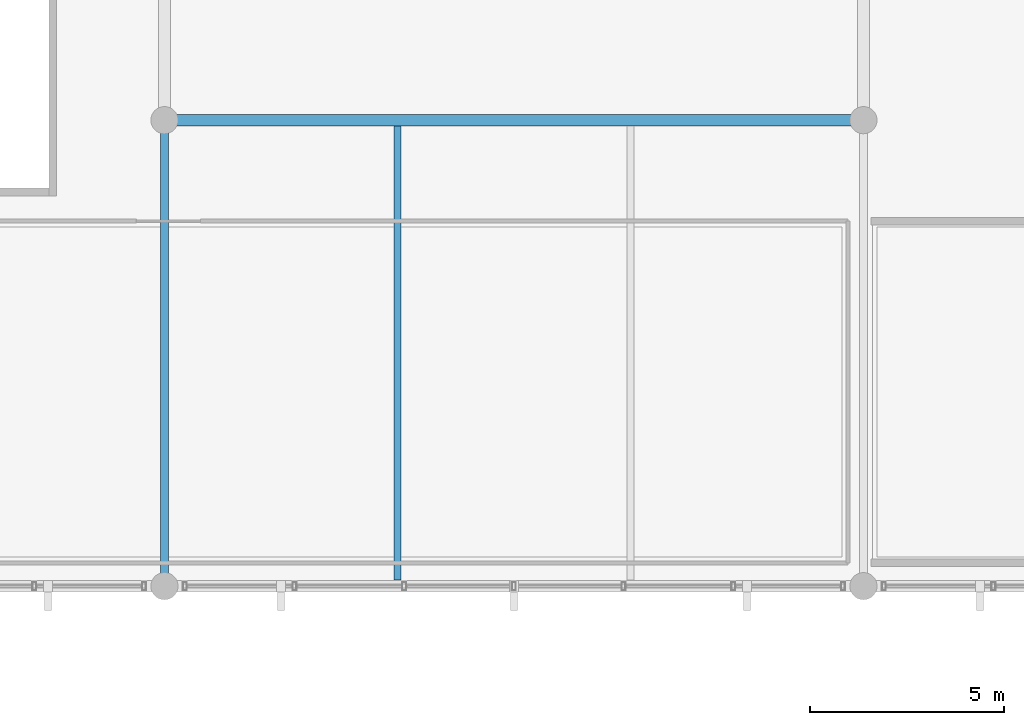
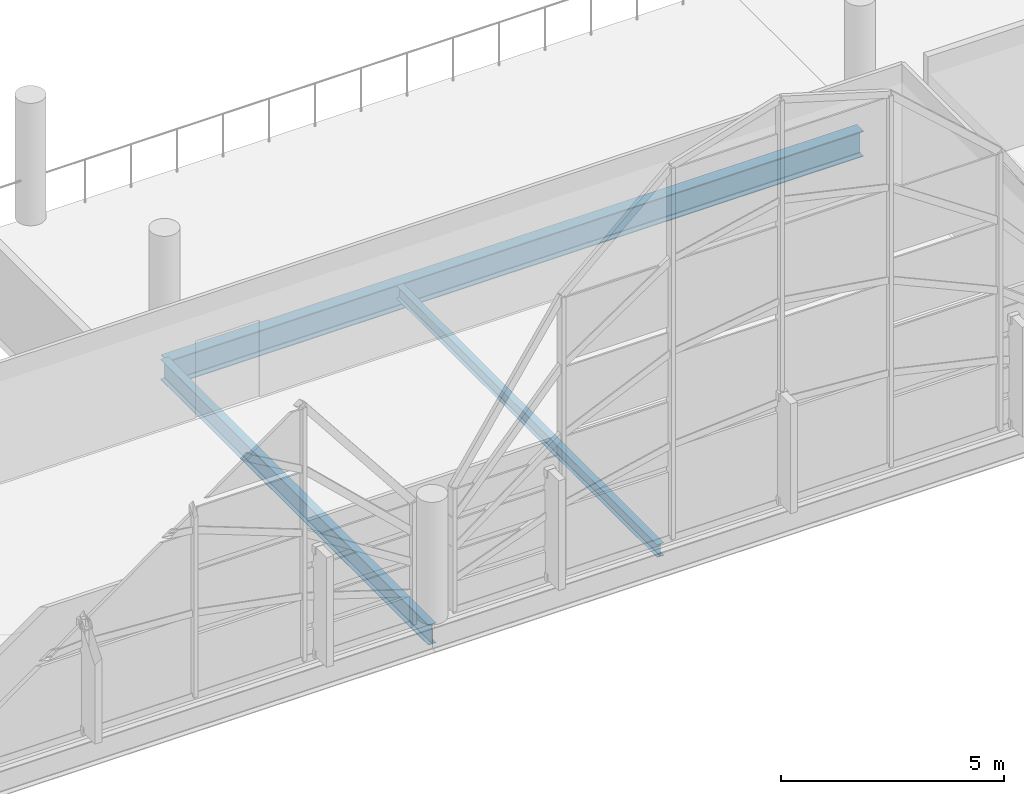
# One storey, part 23 of 116: 3 beams.
"""IFC4 building model written with IfcOpenShell, lengths in metres."""

from ifc_helpers import new_model, si_unit, direction, frame, origin, origin_2d, place, context, subcontext, project, spatial, i_section, extrude, material, material_profile, profile_set, type_object, element, save


model = new_model("IFC4")

# Units and contexts
model_context = context("Model", 3, precision=1e-05, world=origin(), true_north=direction((0.0, 1.0)))
body_context = subcontext(model_context, "Body", "Model", "MODEL_VIEW")
ifc_project = project(units=[si_unit("LENGTHUNIT", "METRE"), si_unit("AREAUNIT", "SQUARE_METRE"), si_unit("VOLUMEUNIT", "CUBIC_METRE"), si_unit("PLANEANGLEUNIT", "RADIAN"), si_unit("MASSUNIT", "GRAM", prefix="KILO")], contexts=[model_context])

# Site, building, storey
site_placement = place(None, origin())
site = spatial("IfcSite", under=ifc_project, at=site_placement, CompositionType="ELEMENT")
building_placement = place(site_placement, origin())
building = spatial("IfcBuilding", under=site, at=building_placement, Name="Chuanluo Vaults Station", CompositionType="ELEMENT")
storey_placement = place(building_placement, frame((0.0, 0.0, 10.800048828125)))
storey = spatial("IfcBuildingStorey", under=building, at=storey_placement, Name="L02", CompositionType="ELEMENT", Elevation=10.800048828125)

# Beams
ifc_material_1 = material(Name="Steel Q355C", Category="steel")
ifc_material_profile_1 = material_profile(ifc_material_1, i_section(OverallWidth=0.199951171875, OverallDepth=0.550048828125, WebThickness=0.010009765625, FlangeThickness=0.01611328125, FilletRadius=0.01806640625, at=origin_2d()))
ifc_profile_set_1 = profile_set([ifc_material_profile_1], Name="Steel Q355C")
beam_type_1 = type_object("IfcBeamType", Name="BM-GRD-550", PredefinedType="USERDEFINED", material=ifc_profile_set_1)
beam_1_placement = place(storey_placement, frame((36.0, 18.0, -0.4951171875), z_axis=(0.0, 1.0, 0.0), x_axis=(-1.0, 0.0, 0.0)))
element("IfcBeam", 1, at=beam_1_placement, inside=storey, type_object=beam_type_1, Name="Floor girder BM:GY:L02:0622", ObjectType="GIRDER", PredefinedType="USERDEFINED", context=body_context, shape_type="SweptSolid", body=[
    extrude(i_section(OverallWidth=0.199951171875, OverallDepth=0.550048828125, WebThickness=0.010009765625, FlangeThickness=0.01611328125, FilletRadius=0.01806640625, at=origin_2d()), origin(), (0.0, 0.0, 1.0), 12.0),
])
ifc_material_2 = material(Name="Steel Q355C", Category="steel")
ifc_material_profile_2 = material_profile(ifc_material_2, i_section(OverallWidth=0.300048828125, OverallDepth=0.699951171875, WebThickness=0.012939453125, FlangeThickness=0.02392578125, FilletRadius=0.02197265625, at=origin_2d()))
ifc_profile_set_2 = profile_set([ifc_material_profile_2], Name="Steel Q355C")
beam_type_2 = type_object("IfcBeamType", Name="BM-GRD-700", PredefinedType="USERDEFINED", material=ifc_profile_set_2)
beam_2_placement = place(storey_placement, frame((36.0, 30.0, -0.570068359375), z_axis=(1.0, 0.0, 0.0), x_axis=(0.0, 1.0, 0.0)))
element("IfcBeam", 2, at=beam_2_placement, inside=storey, type_object=beam_type_2, Name="Floor girder BM:GX:L02:0555", ObjectType="GIRDER", PredefinedType="USERDEFINED", context=body_context, shape_type="SweptSolid", body=[
    extrude(i_section(OverallWidth=0.300048828125, OverallDepth=0.699951171875, WebThickness=0.012939453125, FlangeThickness=0.02392578125, FilletRadius=0.02197265625, at=origin_2d()), origin(), (0.0, 0.0, 1.0), 18.0),
])
ifc_material_3 = material(Name="Steel Q355C", Category="steel")
ifc_material_profile_3 = material_profile(ifc_material_3, i_section(OverallWidth=0.175048828125, OverallDepth=0.35009765625, WebThickness=0.007080078125, FlangeThickness=0.010986328125, FilletRadius=0.013916015625, at=origin_2d()))
ifc_profile_set_3 = profile_set([ifc_material_profile_3], Name="Steel Q355C")
beam_type_3 = type_object("IfcBeamType", Name="BM-SEC-350", PredefinedType="JOIST", material=ifc_profile_set_3)
beam_3_placement = place(storey_placement, frame((42.0, 18.155029296875, -0.39501953125), z_axis=(0.0, 1.0, 0.0), x_axis=(-1.0, 0.0, 0.0)))
element("IfcBeam", 3, at=beam_3_placement, inside=storey, type_object=beam_type_3, Name="Composite secondary joist 0187", PredefinedType="JOIST", context=body_context, shape_type="SweptSolid", body=[
    extrude(i_section(OverallWidth=0.175048828125, OverallDepth=0.35009765625, WebThickness=0.007080078125, FlangeThickness=0.010986328125, FilletRadius=0.013916015625, at=origin_2d()), origin(), (0.0, 0.0, 1.0), 11.68994140625),
])

save(model, "model.ifc")
